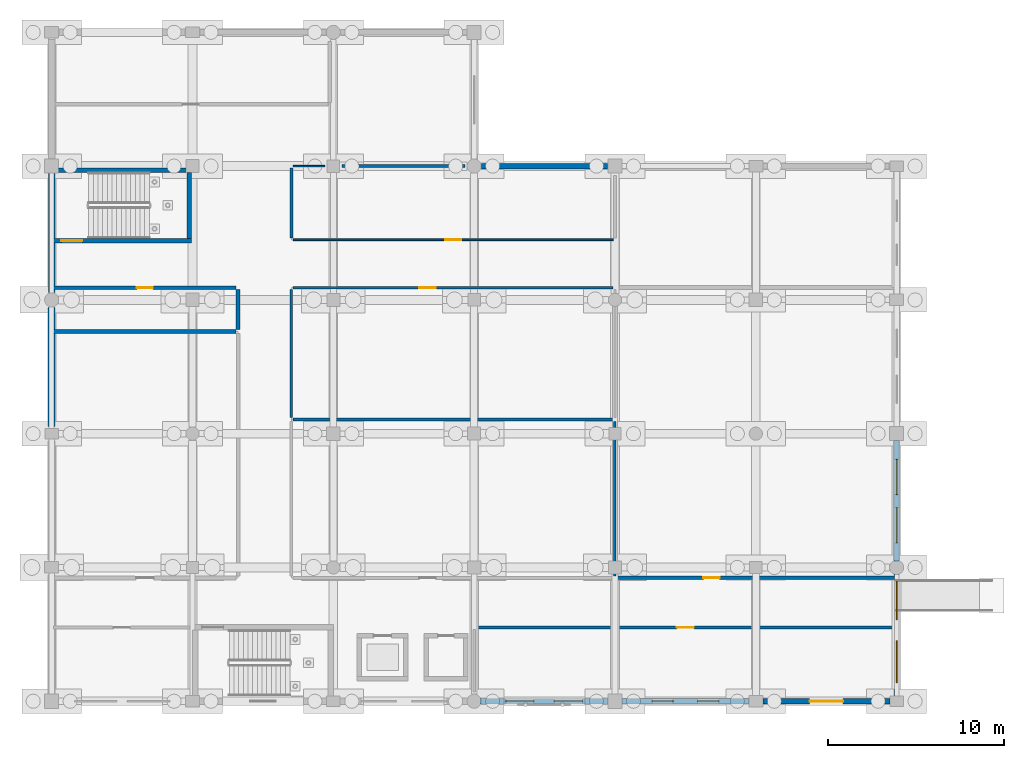
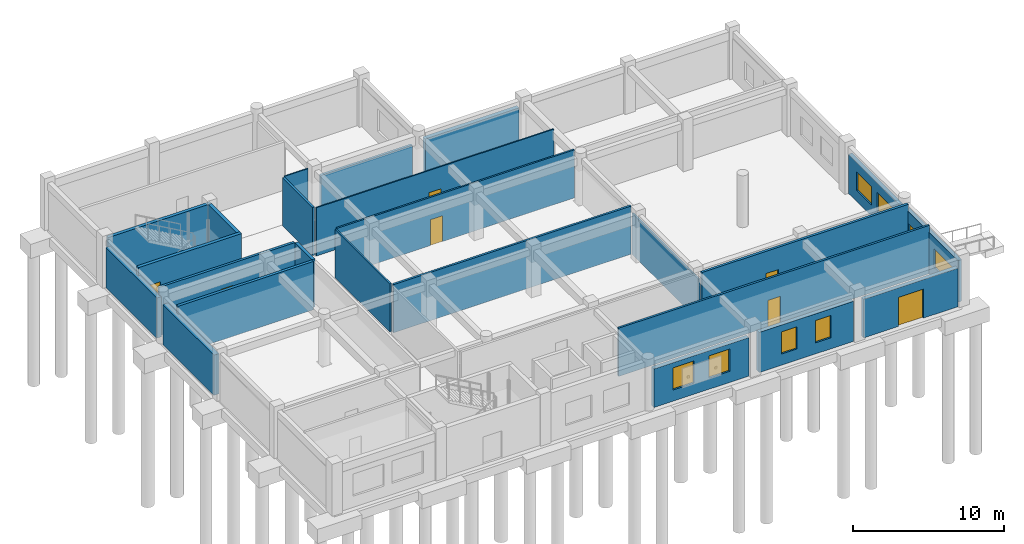
# One storey, part 6 of 11: 24 walls, 8 windows, 7 doors, 15 openings.
"""IFC4 building model written with IfcOpenShell, lengths in metres."""

from ifc_helpers import new_model, si_unit, direction, frame, frame_2d, origin, place, context, subcontext, project, spatial, rectangle, extrude, material, layer, layer_set, type_object, element, fill, save


model = new_model("IFC4")

# Units and contexts
model_context = context("Model", 3, precision=1e-05, world=origin(), true_north=direction((0.0, 1.0)))
body_context = subcontext(model_context, "Body", "Model", "MODEL_VIEW")
ifc_project = project(units=[si_unit("LENGTHUNIT", "METRE"), si_unit("AREAUNIT", "SQUARE_METRE"), si_unit("VOLUMEUNIT", "CUBIC_METRE"), si_unit("PLANEANGLEUNIT", "RADIAN"), si_unit("MASSUNIT", "GRAM", prefix="KILO")], contexts=[model_context])

# Site, building, storey
site_placement = place(None, origin())
site = spatial("IfcSite", under=ifc_project, at=site_placement, CompositionType="ELEMENT")
building_placement = place(site_placement, origin())
building = spatial("IfcBuilding", under=site, at=building_placement, Name="Kharva Crest Polytechnic", CompositionType="ELEMENT")
storey_placement = place(building_placement, frame((0.0, 0.0, -4.199951171875)))
storey = spatial("IfcBuildingStorey", under=building, at=storey_placement, Name="LG", CompositionType="ELEMENT", Elevation=-4.199951171875)

# Wall, openings, windows
ifc_material_1 = material(Name="Kiln brick masonry", Category="masonry")
ifc_layer_1 = layer(ifc_material_1, 0.27490234375, Name="Kiln brick masonry")
ifc_layer_set_1 = layer_set([ifc_layer_1], Name="Kiln brick masonry")
wall_type_1 = type_object("IfcWallType", Name="WL-EXT-BRK-275", PredefinedType="SOLIDWALL", material=ifc_layer_set_1)
wall_1_placement = place(storey_placement, frame((168.800048828125, 7.93603515625, 0.0), z_axis=(0.0, 0.0, 1.0), x_axis=(0.0, 1.0, 0.0)))
wall_1 = element("IfcWall", 1, at=wall_1_placement, inside=storey, type_object=wall_type_1, Name="LG Exterior Brick Wall 9", PredefinedType="SOLIDWALL", context=body_context, shape_type="SweptSolid", body=[
    extrude(rectangle(XDim=6.868896484375, YDim=0.27490234375, at=frame_2d((3.4345703125, 0.0))), origin(), (0.0, 0.0, 1.0), 3.175048828125),
])
opening_1_placement = place(wall_1_placement, frame((1.06298828125, 0.0, 0.89990234375)))
opening_1 = element("IfcOpeningElement", 2, at=opening_1_placement, cuts=wall_1, Name="Opening W12", PredefinedType="OPENING", context=body_context, shape_type="SweptSolid", body=[
    extrude(rectangle(XDim=2.0, YDim=1.5, at=frame_2d((1.0, 0.75))), frame((0.0, 0.1474609375, 0.0), z_axis=(0.0, -1.0, 0.0), x_axis=(1.0, 0.0, 0.0)), (0.0, 0.0, 1.0), 0.294921875),
])
opening_2_placement = place(wall_1_placement, frame((3.805908203125, 0.0, 0.89990234375)))
opening_2 = element("IfcOpeningElement", 3, at=opening_2_placement, cuts=wall_1, Name="Opening W12", PredefinedType="OPENING", context=body_context, shape_type="SweptSolid", body=[
    extrude(rectangle(XDim=2.0, YDim=1.5, at=frame_2d((1.0, 0.75))), frame((0.0, 0.1474609375, 0.0), z_axis=(0.0, -1.0, 0.0), x_axis=(1.0, 0.0, 0.0)), (0.0, 0.0, 1.0), 0.294921875),
])
ifc_material_2 = material(Name="Anodised aluminium", Category="aluminium")
window_type_1 = type_object("IfcWindowType", Name="WIN-ALU-2000X1500", PartitioningType="SINGLE_PANEL", PredefinedType="WINDOW", material=ifc_material_2)
window_1_placement = place(opening_1_placement, origin())
window_1 = element("IfcWindow", 4, at=window_1_placement, inside=storey, type_object=window_type_1, Name="LG Exterior Window 12", OverallHeight=1.5, OverallWidth=2.0, PartitioningType="SINGLE_PANEL", PredefinedType="WINDOW", context=body_context, shape_type="SweptSolid", body=[
    extrude(rectangle(XDim=2.0, YDim=1.5, at=frame_2d((1.0, 0.75))), frame((0.0, 0.030029296875, 0.0), z_axis=(0.0, -1.0, 0.0), x_axis=(1.0, 0.0, 0.0)), (0.0, 0.0, 1.0), 0.06005859375),
])
fill(opening_1, window_1)
window_2_placement = place(opening_2_placement, origin())
window_2 = element("IfcWindow", 5, at=window_2_placement, inside=storey, type_object=window_type_1, Name="LG Exterior Window 13", OverallHeight=1.5, OverallWidth=2.0, PartitioningType="SINGLE_PANEL", PredefinedType="WINDOW", context=body_context, shape_type="SweptSolid", body=[
    extrude(rectangle(XDim=2.0, YDim=1.5, at=frame_2d((1.0, 0.75))), frame((0.0, 0.030029296875, 0.0), z_axis=(0.0, -1.0, 0.0), x_axis=(1.0, 0.0, 0.0)), (0.0, 0.0, 1.0), 0.06005859375),
])
fill(opening_2, window_2)

ifc_layer_2 = layer(ifc_material_1, 0.2900390625, Name="Kiln brick masonry")
ifc_layer_set_2 = layer_set([ifc_layer_2], Name="Kiln brick masonry")
wall_type_2 = type_object("IfcWallType", Name="WL-EXT-BRK-290", PredefinedType="SOLIDWALL", material=ifc_layer_set_2)
wall_2_placement = place(storey_placement, frame((168.800048828125, 0.294921875, 0.0), z_axis=(0.0, 0.0, 1.0), x_axis=(0.0, 1.0, 0.0)))
wall_2 = element("IfcWall", 6, at=wall_2_placement, inside=storey, type_object=wall_type_2, Name="LG Exterior Brick Wall 8", PredefinedType="SOLIDWALL", context=body_context, shape_type="SweptSolid", body=[
    extrude(rectangle(XDim=6.968994140625, YDim=0.2900390625, at=frame_2d((3.484375, 0.0))), origin(), (0.0, 0.0, 1.0), 3.35498046875),
])
opening_3_placement = place(wall_2_placement, frame((0.748046875, 0.0, 0.89990234375)))
opening_3 = element("IfcOpeningElement", 7, at=opening_3_placement, cuts=wall_2, Name="Opening W10", PredefinedType="OPENING", context=body_context, shape_type="SweptSolid", body=[
    extrude(rectangle(XDim=2.39990234375, YDim=1.5, at=frame_2d((1.199951171875, 0.75))), frame((0.0, 0.155029296875, 0.0), z_axis=(0.0, -1.0, 0.0), x_axis=(1.0, 0.0, 0.0)), (0.0, 0.0, 1.0), 0.31005859375),
])
opening_4_placement = place(wall_2_placement, frame((4.33203125, 0.0, 0.89990234375)))
opening_4 = element("IfcOpeningElement", 8, at=opening_4_placement, cuts=wall_2, Name="Opening W11", PredefinedType="OPENING", context=body_context, shape_type="SweptSolid", body=[
    extrude(rectangle(XDim=2.199951171875, YDim=1.5, at=frame_2d((1.10009765625, 0.75))), frame((0.0, 0.155029296875, 0.0), z_axis=(0.0, -1.0, 0.0), x_axis=(1.0, 0.0, 0.0)), (0.0, 0.0, 1.0), 0.31005859375),
])
window_type_2 = type_object("IfcWindowType", Name="WIN-ALU-2200X1500", PartitioningType="SINGLE_PANEL", PredefinedType="WINDOW", material=ifc_material_2)
window_3_placement = place(opening_4_placement, origin())
window_3 = element("IfcWindow", 9, at=window_3_placement, inside=storey, type_object=window_type_2, Name="LG Exterior Window 11", OverallHeight=1.5, OverallWidth=2.199951171875, PartitioningType="SINGLE_PANEL", PredefinedType="WINDOW", context=body_context, shape_type="SweptSolid", body=[
    extrude(rectangle(XDim=2.199951171875, YDim=1.5, at=frame_2d((1.10009765625, 0.75))), frame((0.0, 0.030029296875, 0.0), z_axis=(0.0, -1.0, 0.0), x_axis=(1.0, 0.0, 0.0)), (0.0, 0.0, 1.0), 0.06005859375),
])
fill(opening_4, window_3)
window_type_3 = type_object("IfcWindowType", Name="WIN-ALU-2400X1500", PartitioningType="SINGLE_PANEL", PredefinedType="WINDOW", material=ifc_material_2)
window_4_placement = place(opening_3_placement, origin())
window_4 = element("IfcWindow", 10, at=window_4_placement, inside=storey, type_object=window_type_3, Name="LG Exterior Window 10", OverallHeight=1.5, OverallWidth=2.39990234375, PartitioningType="SINGLE_PANEL", PredefinedType="WINDOW", context=body_context, shape_type="SweptSolid", body=[
    extrude(rectangle(XDim=2.39990234375, YDim=1.5, at=frame_2d((1.199951171875, 0.75))), frame((0.0, 0.030029296875, 0.0), z_axis=(0.0, -1.0, 0.0), x_axis=(1.0, 0.0, 0.0)), (0.0, 0.0, 1.0), 0.06005859375),
])
fill(opening_3, window_4)

# Wall, opening, door
ifc_layer_3 = layer(ifc_material_1, 0.304931640625, Name="Kiln brick masonry")
ifc_layer_set_3 = layer_set([ifc_layer_3], Name="Kiln brick masonry")
wall_type_3 = type_object("IfcWallType", Name="WL-EXT-BRK-305", PredefinedType="SOLIDWALL", material=ifc_layer_set_3)
wall_3_placement = place(storey_placement, frame((161.195068359375, 0.0, 0.0), z_axis=(0.0, 0.0, 1.0), x_axis=(1.0, 0.0, 0.0)))
wall_3 = element("IfcWall", 11, at=wall_3_placement, inside=storey, type_object=wall_type_3, Name="LG Exterior Brick Wall 7", PredefinedType="SOLIDWALL", context=body_context, shape_type="SweptSolid", body=[
    extrude(rectangle(XDim=7.219970703125, YDim=0.304931640625, at=frame_2d((3.60986328125, 0.0))), origin(), (0.0, 0.0, 1.0), 3.114990234375),
])
opening_5_placement = place(wall_3_placement, frame((2.659912109375, 0.0, 0.0)))
opening_5 = element("IfcOpeningElement", 12, at=opening_5_placement, cuts=wall_3, Name="Opening ED3", PredefinedType="OPENING", context=body_context, shape_type="SweptSolid", body=[
    extrude(rectangle(XDim=1.89990234375, YDim=2.35009765625, at=frame_2d((0.949951171875, 1.175048828125))), frame((0.0, 0.162353515625, 0.0), z_axis=(0.0, -1.0, 0.0), x_axis=(1.0, 0.0, 0.0)), (0.0, 0.0, 1.0), 0.324951171875),
])
door_type_1 = type_object("IfcDoorType", Name="DR-EXT-DBL-1900X2350", OperationType="NOTDEFINED", PredefinedType="DOOR", material=ifc_material_2)
door_1_placement = place(opening_5_placement, frame((1.89990234375, 0.0, 0.0), z_axis=(0.0, 0.0, 1.0), x_axis=(-1.0, 0.0, 0.0)))
door_1 = element("IfcDoor", 13, at=door_1_placement, inside=storey, type_object=door_type_1, Name="LG Campus Entrance Door 2", OperationType="DOUBLE_DOOR_SINGLE_SWING", OverallHeight=2.35009765625, OverallWidth=1.89990234375, PredefinedType="DOOR", context=body_context, shape_type="SweptSolid", body=[
    extrude(rectangle(XDim=1.89990234375, YDim=2.35009765625, at=frame_2d((0.949951171875, 1.175048828125))), frame((0.0, 0.02490234375, 0.0), z_axis=(0.0, -1.0, 0.0), x_axis=(1.0, 0.0, 0.0)), (0.0, 0.0, 1.0), 0.050048828125),
])
fill(opening_5, door_1)

# Wall, openings, windows
ifc_layer_4 = layer(ifc_material_1, 0.320068359375, Name="Kiln brick masonry")
ifc_layer_set_4 = layer_set([ifc_layer_4], Name="Kiln brick masonry")
wall_type_4 = type_object("IfcWallType", Name="WL-EXT-BRK-320", PredefinedType="SOLIDWALL", material=ifc_layer_set_4)
wall_4_placement = place(storey_placement, frame((153.195068359375, 0.0, 0.0), z_axis=(0.0, 0.0, 1.0), x_axis=(1.0, 0.0, 0.0)))
wall_4 = element("IfcWall", 14, at=wall_4_placement, inside=storey, type_object=wall_type_4, Name="LG Exterior Brick Wall 6", PredefinedType="SOLIDWALL", context=body_context, shape_type="SweptSolid", body=[
    extrude(rectangle(XDim=7.2099609375, YDim=0.320068359375, at=frame_2d((3.60498046875, 0.0))), origin(), (0.0, 0.0, 1.0), 3.244873046875),
])
opening_6_placement = place(wall_4_placement, frame((1.7099609375, 0.0, 0.89990234375)))
opening_6 = element("IfcOpeningElement", 15, at=opening_6_placement, cuts=wall_4, Name="Opening W08", PredefinedType="OPENING", context=body_context, shape_type="SweptSolid", body=[
    extrude(rectangle(XDim=1.199951171875, YDim=1.800048828125, at=frame_2d((0.60009765625, 0.89990234375))), frame((0.0, 0.169921875, 0.0), z_axis=(0.0, -1.0, 0.0), x_axis=(1.0, 0.0, 0.0)), (0.0, 0.0, 1.0), 0.340087890625),
])
opening_7_placement = place(wall_4_placement, frame((4.300048828125, 0.0, 0.89990234375)))
opening_7 = element("IfcOpeningElement", 16, at=opening_7_placement, cuts=wall_4, Name="Opening W08", PredefinedType="OPENING", context=body_context, shape_type="SweptSolid", body=[
    extrude(rectangle(XDim=1.199951171875, YDim=1.800048828125, at=frame_2d((0.60009765625, 0.89990234375))), frame((0.0, 0.169921875, 0.0), z_axis=(0.0, -1.0, 0.0), x_axis=(1.0, 0.0, 0.0)), (0.0, 0.0, 1.0), 0.340087890625),
])
window_type_4 = type_object("IfcWindowType", Name="WIN-ALU-1200X1800", PartitioningType="SINGLE_PANEL", PredefinedType="WINDOW", material=ifc_material_2)
window_5_placement = place(opening_6_placement, origin())
window_5 = element("IfcWindow", 17, at=window_5_placement, inside=storey, type_object=window_type_4, Name="LG Exterior Window 8", OverallHeight=1.800048828125, OverallWidth=1.199951171875, PartitioningType="SINGLE_PANEL", PredefinedType="WINDOW", context=body_context, shape_type="SweptSolid", body=[
    extrude(rectangle(XDim=1.199951171875, YDim=1.800048828125, at=frame_2d((0.60009765625, 0.89990234375))), frame((0.0, 0.030029296875, 0.0), z_axis=(0.0, -1.0, 0.0), x_axis=(1.0, 0.0, 0.0)), (0.0, 0.0, 1.0), 0.06005859375),
])
fill(opening_6, window_5)
window_6_placement = place(opening_7_placement, origin())
window_6 = element("IfcWindow", 18, at=window_6_placement, inside=storey, type_object=window_type_4, Name="LG Exterior Window 9", OverallHeight=1.800048828125, OverallWidth=1.199951171875, PartitioningType="SINGLE_PANEL", PredefinedType="WINDOW", context=body_context, shape_type="SweptSolid", body=[
    extrude(rectangle(XDim=1.199951171875, YDim=1.800048828125, at=frame_2d((0.60009765625, 0.89990234375))), frame((0.0, 0.030029296875, 0.0), z_axis=(0.0, -1.0, 0.0), x_axis=(1.0, 0.0, 0.0)), (0.0, 0.0, 1.0), 0.06005859375),
])
fill(opening_7, window_6)

ifc_layer_5 = layer(ifc_material_1, 0.3349609375, Name="Kiln brick masonry")
ifc_layer_set_5 = layer_set([ifc_layer_5], Name="Kiln brick masonry")
wall_type_5 = type_object("IfcWallType", Name="WL-EXT-BRK-335", PredefinedType="SOLIDWALL", material=ifc_layer_set_5)
wall_5_placement = place(storey_placement, frame((145.135986328125, 0.0, 0.0), z_axis=(0.0, 0.0, 1.0), x_axis=(1.0, 0.0, 0.0)))
wall_5 = element("IfcWall", 19, at=wall_5_placement, inside=storey, type_object=wall_type_5, Name="LG Exterior Brick Wall 5", PredefinedType="SOLIDWALL", context=body_context, shape_type="SweptSolid", body=[
    extrude(rectangle(XDim=7.26904296875, YDim=0.3349609375, at=frame_2d((3.634521484375, 0.0))), origin(), (0.0, 0.0, 1.0), 3.114990234375),
])
opening_8_placement = place(wall_5_placement, frame((1.462890625, 0.0, 0.89990234375)))
opening_8 = element("IfcOpeningElement", 20, at=opening_8_placement, cuts=wall_5, Name="Opening W06", PredefinedType="OPENING", context=body_context, shape_type="SweptSolid", body=[
    extrude(rectangle(XDim=1.60009765625, YDim=1.800048828125, at=frame_2d((0.800048828125, 0.89990234375))), frame((0.0, 0.177490234375, 0.0), z_axis=(0.0, -1.0, 0.0), x_axis=(1.0, 0.0, 0.0)), (0.0, 0.0, 1.0), 0.35498046875),
])
opening_9_placement = place(wall_5_placement, frame((4.2060546875, 0.0, 0.89990234375)))
opening_9 = element("IfcOpeningElement", 21, at=opening_9_placement, cuts=wall_5, Name="Opening W06", PredefinedType="OPENING", context=body_context, shape_type="SweptSolid", body=[
    extrude(rectangle(XDim=1.60009765625, YDim=1.800048828125, at=frame_2d((0.800048828125, 0.89990234375))), frame((0.0, 0.177490234375, 0.0), z_axis=(0.0, -1.0, 0.0), x_axis=(1.0, 0.0, 0.0)), (0.0, 0.0, 1.0), 0.35498046875),
])
window_type_5 = type_object("IfcWindowType", Name="WIN-ALU-1600X1800", PartitioningType="SINGLE_PANEL", PredefinedType="WINDOW", material=ifc_material_2)
window_7_placement = place(opening_8_placement, origin())
window_7 = element("IfcWindow", 22, at=window_7_placement, inside=storey, type_object=window_type_5, Name="LG Exterior Window 6", OverallHeight=1.800048828125, OverallWidth=1.60009765625, PartitioningType="SINGLE_PANEL", PredefinedType="WINDOW", context=body_context, shape_type="SweptSolid", body=[
    extrude(rectangle(XDim=1.60009765625, YDim=1.800048828125, at=frame_2d((0.800048828125, 0.89990234375))), frame((0.0, 0.030029296875, 0.0), z_axis=(0.0, -1.0, 0.0), x_axis=(1.0, 0.0, 0.0)), (0.0, 0.0, 1.0), 0.06005859375),
])
fill(opening_8, window_7)
window_8_placement = place(opening_9_placement, origin())
window_8 = element("IfcWindow", 23, at=window_8_placement, inside=storey, type_object=window_type_5, Name="LG Exterior Window 7", OverallHeight=1.800048828125, OverallWidth=1.60009765625, PartitioningType="SINGLE_PANEL", PredefinedType="WINDOW", context=body_context, shape_type="SweptSolid", body=[
    extrude(rectangle(XDim=1.60009765625, YDim=1.800048828125, at=frame_2d((0.800048828125, 0.89990234375))), frame((0.0, 0.030029296875, 0.0), z_axis=(0.0, -1.0, 0.0), x_axis=(1.0, 0.0, 0.0)), (0.0, 0.0, 1.0), 0.06005859375),
])
fill(opening_9, window_8)

# Wall
ifc_layer_6 = layer(ifc_material_1, 0.090087890625, Name="Kiln brick masonry")
ifc_layer_set_6 = layer_set([ifc_layer_6], Name="Kiln brick masonry")
wall_type_6 = type_object("IfcWallType", Name="WL-PART-090", PredefinedType="PARTITIONING", material=ifc_layer_set_6)
wall_6_placement = place(storey_placement, frame((134.52001953125, 30.39990234375, 0.0), z_axis=(0.0, 0.0, 1.0), x_axis=(1.0, 0.0, 0.0)))
element("IfcWall", 24, at=wall_6_placement, inside=storey, type_object=wall_type_6, Name="LG Interior Partition 19", PredefinedType="PARTITIONING", context=body_context, shape_type="SweptSolid", body=[
    extrude(rectangle(XDim=1.800048828125, YDim=0.090087890625, at=frame_2d((0.89990234375, 0.0))), origin(), (0.0, 0.0, 1.0), 3.89990234375),
])

# Wall, opening, door
ifc_layer_7 = layer(ifc_material_1, 0.10009765625, Name="Kiln brick masonry")
ifc_layer_set_7 = layer_set([ifc_layer_7], Name="Kiln brick masonry")
wall_type_7 = type_object("IfcWallType", Name="WL-PART-100", PredefinedType="PARTITIONING", material=ifc_layer_set_7)
wall_7_placement = place(storey_placement, frame((134.52001953125, 26.2099609375, 0.0), z_axis=(0.0, 0.0, 1.0), x_axis=(1.0, 0.0, 0.0)))
wall_7 = element("IfcWall", 25, at=wall_7_placement, inside=storey, type_object=wall_type_7, Name="LG Interior Partition 18", PredefinedType="PARTITIONING", context=body_context, shape_type="SweptSolid", body=[
    extrude(rectangle(XDim=18.169921875, YDim=0.10009765625, at=frame_2d((9.0849609375, 0.0))), origin(), (0.0, 0.0, 1.0), 3.89990234375),
])
opening_10_placement = place(wall_7_placement, frame((8.6298828125, 0.0, 0.0)))
opening_10 = element("IfcOpeningElement", 26, at=opening_10_placement, cuts=wall_7, Name="Opening ID15", PredefinedType="OPENING", context=body_context, shape_type="SweptSolid", body=[
    extrude(rectangle(XDim=0.909912109375, YDim=2.10009765625, at=frame_2d((0.455078125, 1.050048828125))), frame((0.0, 0.06005859375, 0.0), z_axis=(0.0, -1.0, 0.0), x_axis=(1.0, 0.0, 0.0)), (0.0, 0.0, 1.0), 0.1201171875),
])
ifc_material_3 = material(Name="Teak timber", Category="wood")
door_type_2 = type_object("IfcDoorType", Name="DR-WC-910X2100", OperationType="NOTDEFINED", PredefinedType="DOOR", material=ifc_material_3)
door_2_placement = place(opening_10_placement, origin())
door_2 = element("IfcDoor", 27, at=door_2_placement, inside=storey, type_object=door_type_2, Name="LG Male Female and Accessible WC LG Door", OperationType="SINGLE_SWING_LEFT", OverallHeight=2.10009765625, OverallWidth=0.909912109375, PredefinedType="DOOR", context=body_context, shape_type="SweptSolid", body=[
    extrude(rectangle(XDim=0.909912109375, YDim=2.10009765625, at=frame_2d((0.455078125, 1.050048828125))), frame((0.0, 0.02490234375, 0.0), z_axis=(0.0, -1.0, 0.0), x_axis=(1.0, 0.0, 0.0)), (0.0, 0.0, 1.0), 0.050048828125),
])
fill(opening_10, door_2)

# Wall
ifc_layer_8 = layer(ifc_material_1, 0.1201171875, Name="Kiln brick masonry")
ifc_layer_set_8 = layer_set([ifc_layer_8], Name="Kiln brick masonry")
wall_type_8 = type_object("IfcWallType", Name="WL-PART-120", PredefinedType="PARTITIONING", material=ifc_layer_set_8)
wall_8_placement = place(storey_placement, frame((134.409912109375, 16.1201171875, 0.0), z_axis=(0.0, 0.0, 1.0), x_axis=(0.0, 1.0, 0.0)))
element("IfcWall", 28, at=wall_8_placement, inside=storey, type_object=wall_type_8, Name="LG Interior Partition 16", PredefinedType="PARTITIONING", context=body_context, shape_type="SweptSolid", body=[
    extrude(rectangle(XDim=7.259765625, YDim=0.1201171875, at=frame_2d((3.6298828125, 0.0))), origin(), (0.0, 0.0, 1.0), 3.89990234375),
])

# Wall, opening, door
ifc_layer_9 = layer(ifc_material_1, 0.1298828125, Name="Kiln brick masonry")
ifc_layer_set_9 = layer_set([ifc_layer_9], Name="Kiln brick masonry")
wall_type_9 = type_object("IfcWallType", Name="WL-PART-130", PredefinedType="PARTITIONING", material=ifc_layer_set_9)
wall_9_placement = place(storey_placement, frame((134.52001953125, 23.489990234375, 0.0), z_axis=(0.0, 0.0, 1.0), x_axis=(1.0, 0.0, 0.0)))
wall_9 = element("IfcWall", 29, at=wall_9_placement, inside=storey, type_object=wall_type_9, Name="LG Interior Partition 15", PredefinedType="PARTITIONING", context=body_context, shape_type="SweptSolid", body=[
    extrude(rectangle(XDim=18.169921875, YDim=0.1298828125, at=frame_2d((9.0849609375, 0.0))), origin(), (0.0, 0.0, 1.0), 3.89990234375),
])
opening_11_placement = place(wall_9_placement, frame((7.1708984375, 0.0, 0.0)))
opening_11 = element("IfcOpeningElement", 30, at=opening_11_placement, cuts=wall_9, Name="Opening ID16", PredefinedType="OPENING", context=body_context, shape_type="SweptSolid", body=[
    extrude(rectangle(XDim=0.919921875, YDim=2.10009765625, at=frame_2d((0.4599609375, 1.050048828125))), frame((0.0, 0.074951171875, 0.0), z_axis=(0.0, -1.0, 0.0), x_axis=(1.0, 0.0, 0.0)), (0.0, 0.0, 1.0), 0.14990234375),
])
door_type_3 = type_object("IfcDoorType", Name="DR-STR-920X2100", OperationType="NOTDEFINED", PredefinedType="DOOR", material=ifc_material_3)
door_3_placement = place(opening_11_placement, origin())
door_3 = element("IfcDoor", 31, at=door_3_placement, inside=storey, type_object=door_type_3, Name="LG Student Union Storage Room Door", OperationType="SINGLE_SWING_RIGHT", OverallHeight=2.10009765625, OverallWidth=0.919921875, PredefinedType="DOOR", context=body_context, shape_type="SweptSolid", body=[
    extrude(rectangle(XDim=0.919921875, YDim=2.10009765625, at=frame_2d((0.4599609375, 1.050048828125))), frame((0.0, 0.02490234375, 0.0), z_axis=(0.0, -1.0, 0.0), x_axis=(1.0, 0.0, 0.0)), (0.0, 0.0, 1.0), 0.050048828125),
])
fill(opening_11, door_3)

# Wall
ifc_layer_10 = layer(ifc_material_1, 0.139892578125, Name="Kiln brick masonry")
ifc_layer_set_10 = layer_set([ifc_layer_10], Name="Kiln brick masonry")
wall_type_10 = type_object("IfcWallType", Name="WL-PART-140", PredefinedType="PARTITIONING", material=ifc_layer_set_10)
wall_10_placement = place(storey_placement, frame((152.800048828125, 7.1201171875, 0.0), z_axis=(0.0, 0.0, 1.0), x_axis=(0.0, 1.0, 0.0)))
element("IfcWall", 32, at=wall_10_placement, inside=storey, type_object=wall_type_10, Name="LG Interior Partition 14", PredefinedType="PARTITIONING", context=body_context, shape_type="SweptSolid", body=[
    extrude(rectangle(XDim=8.769775390625, YDim=0.139892578125, at=frame_2d((4.384765625, 0.0))), origin(), (0.0, 0.0, 1.0), 3.31494140625),
])

# Wall, opening, door
ifc_layer_11 = layer(ifc_material_1, 0.159912109375, Name="Kiln brick masonry")
ifc_layer_set_11 = layer_set([ifc_layer_11], Name="Kiln brick masonry")
wall_type_11 = type_object("IfcWallType", Name="WL-PART-160", PredefinedType="PARTITIONING", material=ifc_layer_set_11)
wall_11_placement = place(storey_placement, frame((144.909912109375, 4.18994140625, 0.0), z_axis=(0.0, 0.0, 1.0), x_axis=(1.0, 0.0, 0.0)))
wall_11 = element("IfcWall", 33, at=wall_11_placement, inside=storey, type_object=wall_type_11, Name="LG Interior Partition 2", PredefinedType="PARTITIONING", context=body_context, shape_type="SweptSolid", body=[
    extrude(rectangle(XDim=23.780029296875, YDim=0.159912109375, at=frame_2d((11.89013671875, 0.0))), origin(), (0.0, 0.0, 1.0), 3.89990234375),
])
opening_12_placement = place(wall_11_placement, frame((11.409912109375, 0.0, 0.0)))
opening_12 = element("IfcOpeningElement", 34, at=opening_12_placement, cuts=wall_11, Name="Opening ID13", PredefinedType="OPENING", context=body_context, shape_type="SweptSolid", body=[
    extrude(rectangle(XDim=0.9599609375, YDim=2.14990234375, at=frame_2d((0.47998046875, 1.074951171875))), frame((0.0, 0.08984375, 0.0), z_axis=(0.0, -1.0, 0.0), x_axis=(1.0, 0.0, 0.0)), (0.0, 0.0, 1.0), 0.179931640625),
])
door_type_4 = type_object("IfcDoorType", Name="DR-OFF-960X2150", OperationType="NOTDEFINED", PredefinedType="DOOR", material=ifc_material_3)
door_4_placement = place(opening_12_placement, origin())
door_4 = element("IfcDoor", 35, at=door_4_placement, inside=storey, type_object=door_type_4, Name="LG Refectory Dining Hall Lower Door", OperationType="SINGLE_SWING_LEFT", OverallHeight=2.14990234375, OverallWidth=0.9599609375, PredefinedType="DOOR", context=body_context, shape_type="SweptSolid", body=[
    extrude(rectangle(XDim=0.9599609375, YDim=2.14990234375, at=frame_2d((0.47998046875, 1.074951171875))), frame((0.0, 0.02490234375, 0.0), z_axis=(0.0, -1.0, 0.0), x_axis=(1.0, 0.0, 0.0)), (0.0, 0.0, 1.0), 0.050048828125),
])
fill(opening_12, door_4)

# Walls
wall_12_placement = place(storey_placement, frame((134.52001953125, 16.0, 0.0), z_axis=(0.0, 0.0, 1.0), x_axis=(1.0, 0.0, 0.0)))
element("IfcWall", 36, at=wall_12_placement, inside=storey, type_object=wall_type_11, Name="LG Interior Partition 12", PredefinedType="PARTITIONING", context=body_context, shape_type="SweptSolid", body=[
    extrude(rectangle(XDim=18.169921875, YDim=0.159912109375, at=frame_2d((9.0849609375, 0.0))), origin(), (0.0, 0.0, 1.0), 3.89990234375),
])
ifc_layer_12 = layer(ifc_material_1, 0.169921875, Name="Kiln brick masonry")
ifc_layer_set_12 = layer_set([ifc_layer_12], Name="Kiln brick masonry")
wall_type_12 = type_object("IfcWallType", Name="WL-PART-170", PredefinedType="PARTITIONING", material=ifc_layer_set_12)
wall_13_placement = place(storey_placement, frame((134.409912109375, 26.320068359375, 0.0), z_axis=(0.0, 0.0, 1.0), x_axis=(0.0, 1.0, 0.0)))
element("IfcWall", 37, at=wall_13_placement, inside=storey, type_object=wall_type_12, Name="LG Interior Partition 21", PredefinedType="PARTITIONING", context=body_context, shape_type="SweptSolid", body=[
    extrude(rectangle(XDim=3.969970703125, YDim=0.169921875, at=frame_2d((1.98486328125, 0.0))), origin(), (0.0, 0.0, 1.0), 3.89990234375),
])
ifc_layer_13 = layer(ifc_material_1, 0.179931640625, Name="Kiln brick masonry")
ifc_layer_set_13 = layer_set([ifc_layer_13], Name="Kiln brick masonry")
wall_type_13 = type_object("IfcWallType", Name="WL-PART-180", PredefinedType="PARTITIONING", material=ifc_layer_set_13)
wall_14_placement = place(storey_placement, frame((137.280029296875, 30.39990234375, 0.0), z_axis=(0.0, 0.0, 1.0), x_axis=(1.0, 0.0, 0.0)))
element("IfcWall", 38, at=wall_14_placement, inside=storey, type_object=wall_type_13, Name="LG Interior Partition 20", PredefinedType="PARTITIONING", context=body_context, shape_type="SweptSolid", body=[
    extrude(rectangle(XDim=6.989990234375, YDim=0.179931640625, at=frame_2d((3.4951171875, 0.0))), origin(), (0.0, 0.0, 1.0), 3.044921875),
])

# Wall, opening, door
ifc_layer_14 = layer(ifc_material_1, 0.18994140625, Name="Kiln brick masonry")
ifc_layer_set_14 = layer_set([ifc_layer_14], Name="Kiln brick masonry")
wall_type_14 = type_object("IfcWallType", Name="WL-PART-190", PredefinedType="PARTITIONING", material=ifc_layer_set_14)
wall_15_placement = place(storey_placement, frame((120.909912109375, 23.489990234375, 0.0), z_axis=(0.0, 0.0, 1.0), x_axis=(1.0, 0.0, 0.0)))
wall_15 = element("IfcWall", 39, at=wall_15_placement, inside=storey, type_object=wall_type_14, Name="LG Interior Partition 7", PredefinedType="PARTITIONING", context=body_context, shape_type="SweptSolid", body=[
    extrude(rectangle(XDim=10.3701171875, YDim=0.18994140625, at=frame_2d((5.18505859375, 0.0))), origin(), (0.0, 0.0, 1.0), 3.89990234375),
])
opening_13_placement = place(wall_15_placement, frame((4.72509765625, 0.0, 0.0)))
opening_13 = element("IfcOpeningElement", 40, at=opening_13_placement, cuts=wall_15, Name="Opening ID16", PredefinedType="OPENING", context=body_context, shape_type="SweptSolid", body=[
    extrude(rectangle(XDim=0.919921875, YDim=2.10009765625, at=frame_2d((0.4599609375, 1.050048828125))), frame((0.0, 0.10498046875, 0.0), z_axis=(0.0, -1.0, 0.0), x_axis=(1.0, 0.0, 0.0)), (0.0, 0.0, 1.0), 0.2099609375),
])
door_5_placement = place(opening_13_placement, origin())
door_5 = element("IfcDoor", 41, at=door_5_placement, inside=storey, type_object=door_type_3, Name="LG Campus Chiller Plant Room Door", OperationType="SINGLE_SWING_LEFT", OverallHeight=2.10009765625, OverallWidth=0.919921875, PredefinedType="DOOR", context=body_context, shape_type="SweptSolid", body=[
    extrude(rectangle(XDim=0.919921875, YDim=2.10009765625, at=frame_2d((0.4599609375, 1.050048828125))), frame((0.0, 0.02490234375, 0.0), z_axis=(0.0, -1.0, 0.0), x_axis=(1.0, 0.0, 0.0)), (0.0, 0.0, 1.0), 0.050048828125),
])
fill(opening_13, door_5)

wall_16_placement = place(storey_placement, frame((152.9189453125, 7.010009765625, 0.0), z_axis=(0.0, 0.0, 1.0), x_axis=(1.0, 0.0, 0.0)))
wall_16 = element("IfcWall", 42, at=wall_16_placement, inside=storey, type_object=wall_type_14, Name="LG Interior Partition 23", PredefinedType="PARTITIONING", context=body_context, shape_type="SweptSolid", body=[
    extrude(rectangle(XDim=15.77099609375, YDim=0.18994140625, at=frame_2d((7.885498046875, 0.0))), origin(), (0.0, 0.0, 1.0), 3.89990234375),
])
opening_14_placement = place(wall_16_placement, frame((4.902099609375, 0.0, 0.0)))
opening_14 = element("IfcOpeningElement", 43, at=opening_14_placement, cuts=wall_16, Name="Opening ID16", PredefinedType="OPENING", context=body_context, shape_type="SweptSolid", body=[
    extrude(rectangle(XDim=0.919921875, YDim=2.10009765625, at=frame_2d((0.4599609375, 1.050048828125))), frame((0.0, 0.10498046875, 0.0), z_axis=(0.0, -1.0, 0.0), x_axis=(1.0, 0.0, 0.0)), (0.0, 0.0, 1.0), 0.2099609375),
])
door_6_placement = place(opening_14_placement, origin())
door_6 = element("IfcDoor", 44, at=door_6_placement, inside=storey, type_object=door_type_3, Name="LG Domestic Water Pump Plant Room Door", OperationType="SINGLE_SWING_RIGHT", OverallHeight=2.10009765625, OverallWidth=0.919921875, PredefinedType="DOOR", context=body_context, shape_type="SweptSolid", body=[
    extrude(rectangle(XDim=0.919921875, YDim=2.10009765625, at=frame_2d((0.4599609375, 1.050048828125))), frame((0.0, 0.02490234375, 0.0), z_axis=(0.0, -1.0, 0.0), x_axis=(1.0, 0.0, 0.0)), (0.0, 0.0, 1.0), 0.050048828125),
])
fill(opening_14, door_6)

# Walls
ifc_layer_15 = layer(ifc_material_1, 0.215087890625, Name="Kiln brick masonry")
ifc_layer_set_15 = layer_set([ifc_layer_15], Name="Kiln brick masonry")
wall_type_15 = type_object("IfcWallType", Name="WL-PART-215", PredefinedType="PARTITIONING", material=ifc_layer_set_15)
wall_17_placement = place(storey_placement, frame((120.909912109375, 21.0, 0.0), z_axis=(0.0, 0.0, 1.0), x_axis=(1.0, 0.0, 0.0)))
element("IfcWall", 45, at=wall_17_placement, inside=storey, type_object=wall_type_15, Name="LG Interior Partition 5", PredefinedType="PARTITIONING", context=body_context, shape_type="SweptSolid", body=[
    extrude(rectangle(XDim=10.3701171875, YDim=0.215087890625, at=frame_2d((5.18505859375, 0.0))), origin(), (0.0, 0.0, 1.0), 3.89990234375),
])
ifc_layer_16 = layer(ifc_material_1, 0.22509765625, Name="Kiln brick masonry")
ifc_layer_set_16 = layer_set([ifc_layer_16], Name="Kiln brick masonry")
wall_type_16 = type_object("IfcWallType", Name="WL-PART-225", PredefinedType="PARTITIONING", material=ifc_layer_set_16)
wall_18_placement = place(storey_placement, frame((131.389892578125, 21.1201171875, 0.0), z_axis=(0.0, 0.0, 1.0), x_axis=(0.0, 1.0, 0.0)))
element("IfcWall", 46, at=wall_18_placement, inside=storey, type_object=wall_type_16, Name="LG Interior Partition 8", PredefinedType="PARTITIONING", context=body_context, shape_type="SweptSolid", body=[
    extrude(rectangle(XDim=2.259765625, YDim=0.22509765625, at=frame_2d((1.1298828125, 0.0))), origin(), (0.0, 0.0, 1.0), 3.89990234375),
])
ifc_material_4 = material(Name="Concrete C35/45", Category="concrete")
ifc_layer_17 = layer(ifc_material_4, 0.320068359375, Name="Concrete C35/45")
ifc_layer_set_17 = layer_set([ifc_layer_17], Name="Concrete C35/45")
wall_type_17 = type_object("IfcWallType", Name="WL-RET-320", PredefinedType="USERDEFINED", material=ifc_layer_set_17)
wall_19_placement = place(storey_placement, frame((145.219970703125, 30.39990234375, 0.0), z_axis=(0.0, 0.0, 1.0), x_axis=(1.0, 0.0, 0.0)))
element("IfcWall", 47, at=wall_19_placement, inside=storey, type_object=wall_type_17, Name="LG Escarpment Retaining Wall 9", ObjectType="RETAINING WALL", PredefinedType="USERDEFINED", context=body_context, shape_type="SweptSolid", body=[
    extrude(rectangle(XDim=7.159912109375, YDim=0.320068359375, at=frame_2d((3.580078125, 0.0))), origin(), (0.0, 0.0, 1.0), 3.25),
])
ifc_layer_18 = layer(ifc_material_4, 0.35009765625, Name="Concrete C35/45")
ifc_layer_set_18 = layer_set([ifc_layer_18], Name="Concrete C35/45")
wall_type_18 = type_object("IfcWallType", Name="WL-RET-350", PredefinedType="USERDEFINED", material=ifc_layer_set_18)
wall_20_placement = place(storey_placement, frame((120.800048828125, 23.219970703125, 0.0), z_axis=(0.0, 0.0, 1.0), x_axis=(0.0, 1.0, 0.0)))
element("IfcWall", 48, at=wall_20_placement, inside=storey, type_object=wall_type_18, Name="LG Escarpment Retaining Wall 4", ObjectType="RETAINING WALL", PredefinedType="USERDEFINED", context=body_context, shape_type="SweptSolid", body=[
    extrude(rectangle(XDim=6.760009765625, YDim=0.35009765625, at=frame_2d((3.3798828125, 0.0))), origin(), (0.0, 0.0, 1.0), 3.25),
])
ifc_layer_19 = layer(ifc_material_4, 0.39990234375, Name="Concrete C35/45")
ifc_layer_set_19 = layer_set([ifc_layer_19], Name="Concrete C35/45")
wall_type_19 = type_object("IfcWallType", Name="WL-RET-400", PredefinedType="USERDEFINED", material=ifc_layer_set_19)
wall_21_placement = place(storey_placement, frame((120.800048828125, 15.6201171875, 0.0), z_axis=(0.0, 0.0, 1.0), x_axis=(0.0, 1.0, 0.0)))
element("IfcWall", 49, at=wall_21_placement, inside=storey, type_object=wall_type_19, Name="LG Escarpment Retaining Wall 3", ObjectType="RETAINING WALL", PredefinedType="USERDEFINED", context=body_context, shape_type="SweptSolid", body=[
    extrude(rectangle(XDim=6.759765625, YDim=0.39990234375, at=frame_2d((3.3798828125, 0.0))), origin(), (0.0, 0.0, 1.0), 3.25),
])

# Wall, opening, door
ifc_material_5 = material(Name="Concrete C40/50", Category="concrete")
ifc_layer_20 = layer(ifc_material_5, 0.25, Name="Concrete C40/50")
ifc_layer_set_20 = layer_set([ifc_layer_20], Name="Concrete C40/50")
wall_type_20 = type_object("IfcWallType", Name="WL-SHEAR-SW1-250", PredefinedType="SHEAR", material=ifc_layer_set_20)
wall_22_placement = place(storey_placement, frame((120.85009765625, 26.1650390625, 0.0), z_axis=(0.0, 0.0, 1.0), x_axis=(1.0, 0.0, 0.0)))
wall_22 = element("IfcWall", 50, at=wall_22_placement, inside=storey, type_object=wall_type_20, Name="LG South-East Escarpment Secondary Stair C7 South Shear Wall", PredefinedType="SHEAR", context=body_context, shape_type="SweptSolid", body=[
    extrude(rectangle(XDim=7.89990234375, YDim=0.25, at=frame_2d((3.949951171875, 0.0))), origin(), (0.0, 0.0, 1.0), 3.919921875),
])
opening_15_placement = place(wall_22_placement, frame((0.5, 0.0, 0.0)))
opening_15 = element("IfcOpeningElement", 51, at=opening_15_placement, cuts=wall_22, Name="Opening FD1", PredefinedType="OPENING", context=body_context, shape_type="SweptSolid", body=[
    extrude(rectangle(XDim=1.199951171875, YDim=2.199951171875, at=frame_2d((0.60009765625, 1.10009765625))), frame((0.0, 0.135009765625, 0.0), z_axis=(0.0, -1.0, 0.0), x_axis=(1.0, 0.0, 0.0)), (0.0, 0.0, 1.0), 0.27001953125),
])
door_type_5 = type_object("IfcDoorType", Name="DR-STAIR-1200X2200", OperationType="NOTDEFINED", PredefinedType="DOOR", material=ifc_material_3)
door_7_placement = place(opening_15_placement, origin())
door_7 = element("IfcDoor", 52, at=door_7_placement, inside=storey, type_object=door_type_5, Name="LG ST-07 Stair Door", OperationType="SINGLE_SWING_LEFT", OverallHeight=2.199951171875, OverallWidth=1.199951171875, PredefinedType="DOOR", context=body_context, shape_type="SweptSolid", body=[
    extrude(rectangle(XDim=1.199951171875, YDim=2.199951171875, at=frame_2d((0.60009765625, 1.10009765625))), frame((0.0, 0.02490234375, 0.0), z_axis=(0.0, -1.0, 0.0), x_axis=(1.0, 0.0, 0.0)), (0.0, 0.0, 1.0), 0.050048828125),
])
fill(opening_15, door_7)

# Walls
wall_23_placement = place(storey_placement, frame((120.85009765625, 30.175048828125, 0.0), z_axis=(0.0, 0.0, 1.0), x_axis=(1.0, 0.0, 0.0)))
element("IfcWall", 53, at=wall_23_placement, inside=storey, type_object=wall_type_20, Name="LG South-East Escarpment Secondary Stair C7 North Shear Wall", PredefinedType="SHEAR", context=body_context, shape_type="SweptSolid", body=[
    extrude(rectangle(XDim=7.89990234375, YDim=0.25, at=frame_2d((3.949951171875, 0.0))), origin(), (0.0, 0.0, 1.0), 3.919921875),
])
wall_24_placement = place(storey_placement, frame((128.625, 26.2900390625, 0.0), z_axis=(0.0, 0.0, 1.0), x_axis=(0.0, 1.0, 0.0)))
element("IfcWall", 54, at=wall_24_placement, inside=storey, type_object=wall_type_20, Name="LG South-East Escarpment Secondary Stair C7 East Shear Wall", PredefinedType="SHEAR", context=body_context, shape_type="SweptSolid", body=[
    extrude(rectangle(XDim=3.760009765625, YDim=0.25, at=frame_2d((1.8798828125, 0.0))), origin(), (0.0, 0.0, 1.0), 3.919921875),
])

save(model, "model.ifc")
